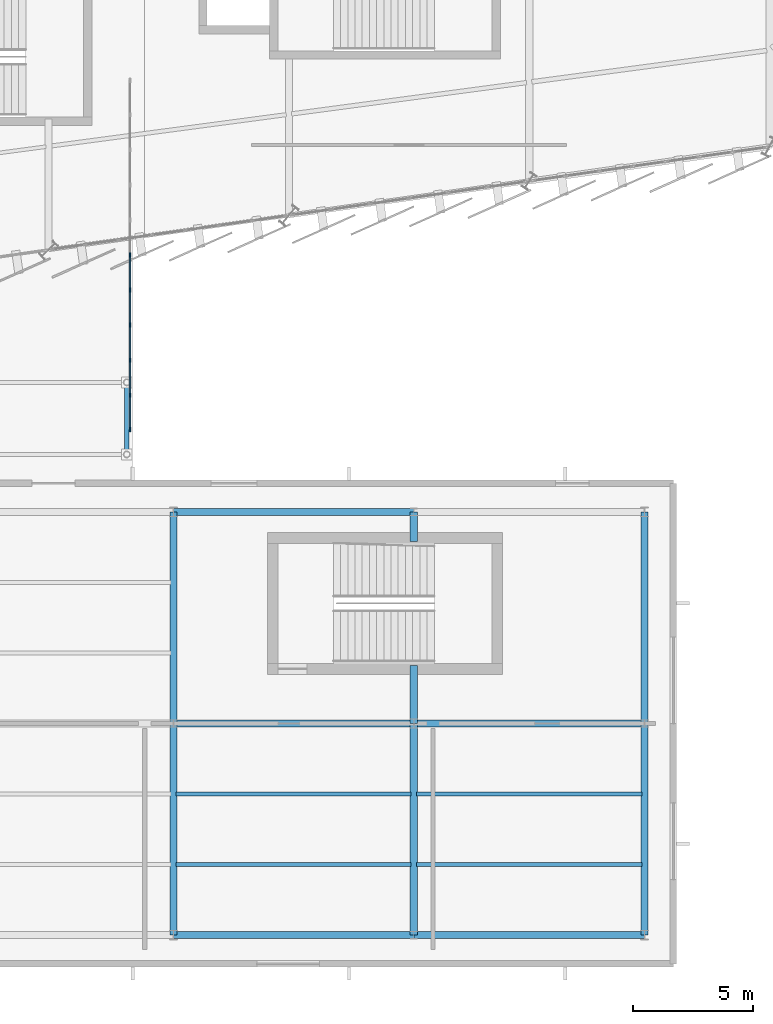
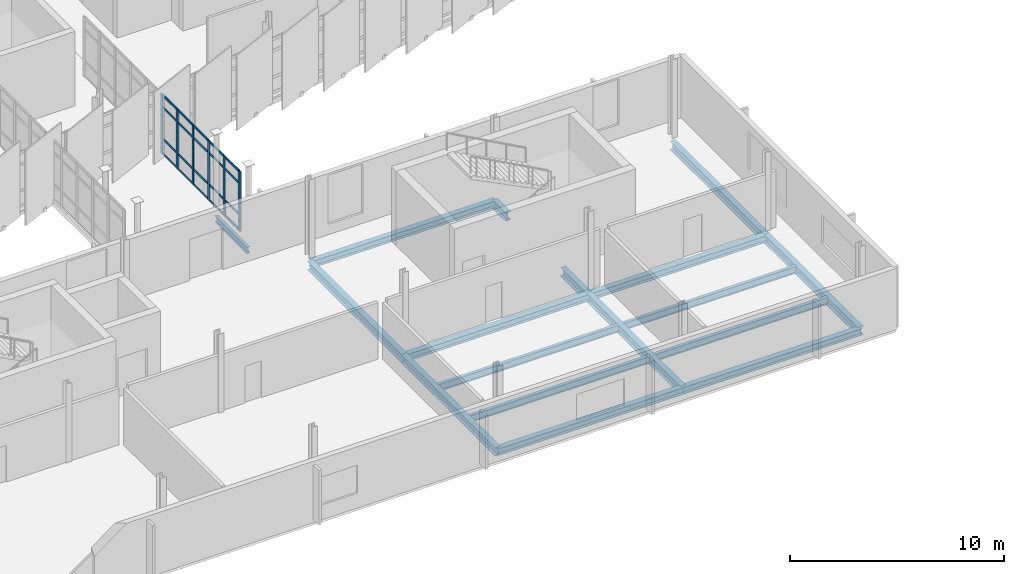
# One storey, part 61 of 134: 26 members, 17 beams, 1 element without a shape of its own.
"""IFC4 building model written with IfcOpenShell, lengths in metres."""

import ifcopenshell
import ifcopenshell.guid

model = None  # the IFC model being written
_history = None  # IfcOwnerHistory: only IFC2X3 demands one
_inside = {}  # id of a spatial element -> (the spatial element, [elements in it])
_under = {}  # id of a project, library or spatial element -> (it, [spatial elements below it])
_declared = {}  # id of a project -> (the project, [libraries it declares])
_typed = {}  # id of a type object -> (the type object, [elements of that type])
_made_of = {}  # id of a material, layer set ... -> (it, [elements and type objects made of it])


def new_model(schema):
    """Start an empty IFC model of exactly this schema.

    Asked for "IFC4X3", IfcOpenShell would pick the latest addendum, in which some entities
    have other attributes; the version numbers below select the first issue.
    IFC2X3 requires an IfcOwnerHistory on every rooted entity: one is made here for all.
    """
    global model, _history
    if schema == "IFC4X3":
        model = ifcopenshell.file(schema_version=(4, 3, 0, 0))
    else:
        model = ifcopenshell.file(schema=schema)
    _inside.clear()
    _under.clear()
    _declared.clear()
    _typed.clear()
    _made_of.clear()
    _history = None
    if model.schema == "IFC2X3":
        org = make("IfcOrganization", Name="unknown")
        user = make(
            "IfcPersonAndOrganization",
            ThePerson=make("IfcPerson", FamilyName="unknown"),
            TheOrganization=org,
        )
        app = make(
            "IfcApplication",
            ApplicationDeveloper=org,
            Version="unknown",
            ApplicationFullName="unknown",
            ApplicationIdentifier="unknown",
        )
        _history = make(
            "IfcOwnerHistory",
            OwningUser=user,
            OwningApplication=app,
            ChangeAction="ADDED",
            CreationDate=0,
        )
    return model


def make(cls, **values):
    """One entity of the class cls with the attributes given. An attribute that is None is left unset."""
    return model.create_entity(
        cls, **{name: value for name, value in values.items() if value is not None}
    )


def rooted(cls, **values):
    """An entity with a GlobalId (a new one), such as an element, a storey or a relation."""
    return make(cls, GlobalId=ifcopenshell.guid.new(), OwnerHistory=_history, **values)


def si_unit(unit_type, name, prefix=None):
    """IfcSIUnit, for example si_unit("LENGTHUNIT", "METRE", prefix="MILLI")."""
    return make("IfcSIUnit", UnitType=unit_type, Prefix=prefix, Name=name)


def assignment(units):
    """IfcUnitAssignment: the units of a project."""
    return None if units is None else make("IfcUnitAssignment", Units=units)


def point(xyz):
    """IfcCartesianPoint."""
    return None if xyz is None else make("IfcCartesianPoint", Coordinates=xyz)


def direction(xyz):
    """IfcDirection."""
    return None if xyz is None else make("IfcDirection", DirectionRatios=xyz)


def frame(location, z_axis=None, x_axis=None):
    """IfcAxis2Placement3D, a coordinate frame: its origin and axes. An axis left out is left unset."""
    return make(
        "IfcAxis2Placement3D",
        Location=point(location),
        Axis=direction(z_axis),
        RefDirection=direction(x_axis),
    )


def frame_2d(location, x_axis=None):
    """IfcAxis2Placement2D, a coordinate frame in the plane: its origin and x axis."""
    return make(
        "IfcAxis2Placement2D", Location=point(location), RefDirection=direction(x_axis)
    )


def origin():
    """The frame at (0, 0, 0) with its axes left unset."""
    return frame((0.0, 0.0, 0.0))


def origin_2d():
    """The frame at (0, 0) in the plane with its x axis left unset."""
    return frame_2d((0.0, 0.0))


def place(relative_to, where):
    """IfcLocalPlacement: puts the frame where relative to a parent placement (None: the world)."""
    return make(
        "IfcLocalPlacement", PlacementRelTo=relative_to, RelativePlacement=where
    )


def context(
    kind, dimensions, precision=None, world=None, true_north=None, identifier=None
):
    """IfcGeometricRepresentationContext, for example the 3D "Model" context."""
    return make(
        "IfcGeometricRepresentationContext",
        ContextIdentifier=identifier,
        ContextType=kind,
        CoordinateSpaceDimension=dimensions,
        Precision=precision,
        WorldCoordinateSystem=world,
        TrueNorth=true_north,
    )


def subcontext(parent, identifier, kind, view, scale=None):
    """IfcGeometricRepresentationSubContext, for example "Body" below "Model"."""
    return make(
        "IfcGeometricRepresentationSubContext",
        ContextIdentifier=identifier,
        ContextType=kind,
        ParentContext=parent,
        TargetScale=scale,
        TargetView=view,
    )


def project(units=None, contexts=None):
    """IfcProject with its units and contexts."""
    return rooted(
        "IfcProject",
        Name="project",
        RepresentationContexts=contexts,
        UnitsInContext=assignment(units),
    )


def spatial(cls, under=None, at=None, **own):
    """A site, building, storey or space (cls), placed at a placement, below another one or the project."""
    s = rooted(cls, ObjectPlacement=at, **own)
    if under is not None:
        _under.setdefault(under.id(), (under, []))[1].append(s)
    return s


def profile(cls, at=None, kind="AREA", **sizes):
    """A parametric profile (cls). Its sizes go by their IFC names, for example OverallWidth=200.0."""
    return make(cls, ProfileType=kind, Position=at, **sizes)


def rectangle(**sizes):
    """IfcRectangleProfileDef."""
    return profile("IfcRectangleProfileDef", **sizes)


def i_section(**sizes):
    """IfcIShapeProfileDef."""
    return profile("IfcIShapeProfileDef", **sizes)


def extrude(swept, where, along, depth):
    """IfcExtrudedAreaSolid: the profile swept, set in the frame where, extruded along a direction by depth."""
    return make(
        "IfcExtrudedAreaSolid",
        SweptArea=swept,
        Position=where,
        ExtrudedDirection=direction(along),
        Depth=depth,
    )


def shape(context_of_items, identifier, shape_type, items):
    """IfcShapeRepresentation: the items that make up one representation, for example the "Body"."""
    return make(
        "IfcShapeRepresentation",
        ContextOfItems=context_of_items,
        RepresentationIdentifier=identifier,
        RepresentationType=shape_type,
        Items=items,
    )


def material(Name=None, Category=None):
    """IfcMaterial."""
    return make("IfcMaterial", Name=Name, Category=Category)


def layer(
    of_material, thickness, ventilated=None, Name=None, Category=None, Priority=None
):
    """IfcMaterialLayer: one layer of a wall or slab, of a material (None: an air gap)."""
    return make(
        "IfcMaterialLayer",
        Material=of_material,
        LayerThickness=thickness,
        IsVentilated=ventilated,
        Name=Name,
        Category=Category,
        Priority=Priority,
    )


def layer_set(layers, Name=None):
    """IfcMaterialLayerSet."""
    return make("IfcMaterialLayerSet", MaterialLayers=layers, LayerSetName=Name)


def material_profile(
    of_material, cross_section, Name=None, Category=None, Priority=None
):
    """IfcMaterialProfile: a cross section and its material."""
    return make(
        "IfcMaterialProfile",
        Name=Name,
        Material=of_material,
        Profile=cross_section,
        Priority=Priority,
        Category=Category,
    )


def profile_set(profiles, Name=None, composite=None):
    """IfcMaterialProfileSet."""
    return make(
        "IfcMaterialProfileSet",
        Name=Name,
        MaterialProfiles=profiles,
        CompositeProfile=composite,
    )


def made_of(thing, what):
    """Note that an element or type object is made of a material, layer set ...; save() writes the relation."""
    if what is not None:
        _made_of.setdefault(what.id(), (what, []))[1].append(thing)
    return thing


def type_object(cls, material=None, **own):
    """A type object (cls), such as IfcWallType, which elements share."""
    return made_of(rooted(cls, **own), material)


def element(
    cls,
    number,
    at=None,
    inside=None,
    cuts=None,
    type_object=None,
    material=None,
    context=None,
    identifier="Body",
    shape_type=None,
    held_by="IfcProductDefinitionShape",
    body=None,
    shapes=None,
    **own,
):
    """One element of the class cls, such as IfcWall. Its Tag is "e" and its number.

    at: its placement. inside: the storey or other place that contains it. cuts: it is an
    opening in that element (IfcRelVoidsElement). A single representation is given by context,
    identifier, shape_type and body (its items); several are given by shapes. held_by: the class
    of the entity that holds the representations. save() writes the other relations.
    """
    e = rooted(cls, Tag="e%d" % number, ObjectPlacement=at, **own)
    if body is not None:
        shapes = [shape(context, identifier, shape_type, body)]
    if shapes is not None:
        e.Representation = make(held_by, Representations=shapes)
    if inside is not None:
        _inside.setdefault(inside.id(), (inside, []))[1].append(e)
    if cuts is not None:
        rooted(
            "IfcRelVoidsElement", RelatingBuildingElement=cuts, RelatedOpeningElement=e
        )
    if type_object is not None:
        _typed.setdefault(type_object.id(), (type_object, []))[1].append(e)
    return made_of(e, material)


def aggregate(whole, parts):
    """IfcRelAggregates: a whole, such as a stair, and the parts it consists of."""
    return rooted("IfcRelAggregates", RelatingObject=whole, RelatedObjects=parts)


def save(model, path):
    """Write the relations noted so far, then the file.

    IfcRelAggregates (storeys below a building ...), IfcRelContainedInSpatialStructure (elements
    in a storey), IfcRelDefinesByType, IfcRelAssociatesMaterial and IfcRelDeclares: one each for
    every whole, place, type object, material and project.
    """
    for whole, parts in _under.values():
        aggregate(whole, parts)
    for where, things in _inside.values():
        rooted(
            "IfcRelContainedInSpatialStructure",
            RelatedElements=things,
            RelatingStructure=where,
        )
    for kind, things in _typed.values():
        rooted("IfcRelDefinesByType", RelatedObjects=things, RelatingType=kind)
    for what, things in _made_of.values():
        rooted("IfcRelAssociatesMaterial", RelatedObjects=things, RelatingMaterial=what)
    for by, libraries in _declared.values():
        rooted("IfcRelDeclares", RelatingContext=by, RelatedDefinitions=libraries)
    model.write(path)


model = new_model("IFC4")

# Units and contexts
model_context = context("Model", 3, precision=1e-05, world=origin(), true_north=direction((0.0, 1.0)))
body_context = subcontext(model_context, "Body", "Model", "MODEL_VIEW")
ifc_project = project(units=[si_unit("LENGTHUNIT", "METRE"), si_unit("AREAUNIT", "SQUARE_METRE"), si_unit("VOLUMEUNIT", "CUBIC_METRE"), si_unit("PLANEANGLEUNIT", "RADIAN"), si_unit("MASSUNIT", "GRAM", prefix="KILO")], contexts=[model_context])

# Site, building, storey
site_placement = place(None, origin())
site = spatial("IfcSite", under=ifc_project, at=site_placement, CompositionType="ELEMENT")
building_placement = place(site_placement, origin())
building = spatial("IfcBuilding", under=site, at=building_placement, Name="Sohan Crest Arena", CompositionType="ELEMENT")
storey_placement = place(building_placement, frame((0.0, 0.0, 4.5)))
storey = spatial("IfcBuildingStorey", under=building, at=storey_placement, Name="L01", CompositionType="ELEMENT", Elevation=4.5)

# Curtain wall, members
ifc_material_1 = material(Name="Thermally broken anodised aluminium", Category="aluminium")
ifc_layer = layer(ifc_material_1, 0.18994140625, Name="Thermally broken anodised aluminium")
ifc_layer_set = layer_set([ifc_layer], Name="Thermally broken anodised aluminium")
curtain_wall_type = type_object("IfcCurtainWallType", Name="ARC-CW05", PredefinedType="NOTDEFINED", material=ifc_layer_set)
curtain_wall_placement = place(storey_placement, origin())
curtain_wall = element("IfcCurtainWall", 1, at=curtain_wall_placement, inside=storey, type_object=curtain_wall_type, Name="Unitised curtain wall CW-256", PredefinedType="NOTDEFINED")
ifc_material_profile_1 = material_profile(ifc_material_1, rectangle(XDim=0.06494140625, YDim=0.179931640625, at=origin_2d()), Name="ALU-MULL 65x180")
ifc_profile_set_1 = profile_set([ifc_material_profile_1], Name="Thermally broken anodised aluminium")
member_type_1 = type_object("IfcMemberType", Name="ARC-CW-ML02", PredefinedType="MULLION", material=ifc_profile_set_1)
member_1_placement = place(storey_placement, frame((141.3798828125, 28.232421875, 0.0), z_axis=(0.0, 0.0, 1.0), x_axis=(-1.0, 0.0, 0.0)))
member_1 = element("IfcMember", 2, at=member_1_placement, type_object=member_type_1, Name="CW-256 mullion 1", PredefinedType="MULLION", context=body_context, shape_type="SweptSolid", body=[
    extrude(rectangle(XDim=0.06494140625, YDim=0.179931640625, at=origin_2d()), origin(), (0.0, 0.0, 1.0), 3.39990234375),
])
member_2_placement = place(storey_placement, frame((141.3798828125, 29.659912109375, 0.0), z_axis=(0.0, 0.0, 1.0), x_axis=(-1.0, 0.0, 0.0)))
member_2 = element("IfcMember", 3, at=member_2_placement, type_object=member_type_1, Name="CW-256 mullion 2", PredefinedType="MULLION", context=body_context, shape_type="SweptSolid", body=[
    extrude(rectangle(XDim=0.06494140625, YDim=0.179931640625, at=origin_2d()), origin(), (0.0, 0.0, 1.0), 3.39990234375),
])
member_3_placement = place(storey_placement, frame((141.3798828125, 31.1201171875, 0.0), z_axis=(0.0, 0.0, 1.0), x_axis=(-1.0, 0.0, 0.0)))
member_3 = element("IfcMember", 4, at=member_3_placement, type_object=member_type_1, Name="CW-256 mullion 3", PredefinedType="MULLION", context=body_context, shape_type="SweptSolid", body=[
    extrude(rectangle(XDim=0.06494140625, YDim=0.179931640625, at=origin_2d()), origin(), (0.0, 0.0, 1.0), 3.39990234375),
])
member_4_placement = place(storey_placement, frame((141.3798828125, 32.580078125, 0.0), z_axis=(0.0, 0.0, 1.0), x_axis=(-1.0, 0.0, 0.0)))
member_4 = element("IfcMember", 5, at=member_4_placement, type_object=member_type_1, Name="CW-256 mullion 4", PredefinedType="MULLION", context=body_context, shape_type="SweptSolid", body=[
    extrude(rectangle(XDim=0.06494140625, YDim=0.179931640625, at=origin_2d()), origin(), (0.0, 0.0, 1.0), 3.39990234375),
])
member_5_placement = place(storey_placement, frame((141.3798828125, 34.0400390625, 0.0), z_axis=(0.0, 0.0, 1.0), x_axis=(-1.0, 0.0, 0.0)))
member_5 = element("IfcMember", 6, at=member_5_placement, type_object=member_type_1, Name="CW-256 mullion 5", PredefinedType="MULLION", context=body_context, shape_type="SweptSolid", body=[
    extrude(rectangle(XDim=0.06494140625, YDim=0.179931640625, at=origin_2d()), origin(), (0.0, 0.0, 1.0), 3.39990234375),
])
member_6_placement = place(storey_placement, frame((141.3798828125, 35.5, 0.0), z_axis=(0.0, 0.0, 1.0), x_axis=(-1.0, 0.0, 0.0)))
member_6 = element("IfcMember", 7, at=member_6_placement, type_object=member_type_1, Name="CW-256 mullion 6", PredefinedType="MULLION", context=body_context, shape_type="SweptSolid", body=[
    extrude(rectangle(XDim=0.06494140625, YDim=0.179931640625, at=origin_2d()), origin(), (0.0, 0.0, 1.0), 3.39990234375),
])
ifc_material_profile_2 = material_profile(ifc_material_1, rectangle(XDim=0.06005859375, YDim=0.1201171875, at=origin_2d()), Name="ALU-TRAN 60x120")
ifc_profile_set_2 = profile_set([ifc_material_profile_2], Name="Thermally broken anodised aluminium")
member_type_2 = type_object("IfcMemberType", Name="ARC-CW-TR01", PredefinedType="USERDEFINED", material=ifc_profile_set_2)
member_7_placement = place(storey_placement, frame((141.3798828125, 28.264892578125, 0.030029296875), z_axis=(0.0, 1.0, 0.0), x_axis=(-1.0, 0.0, 0.0)))
member_7 = element("IfcMember", 8, at=member_7_placement, type_object=member_type_2, Name="CW-256 transom 1.1", ObjectType="TRANSOM", PredefinedType="USERDEFINED", context=body_context, shape_type="SweptSolid", body=[
    extrude(rectangle(XDim=0.06005859375, YDim=0.1201171875, at=origin_2d()), origin(), (0.0, 0.0, 1.0), 1.362548828125),
])
member_8_placement = place(storey_placement, frame((141.3798828125, 28.264892578125, 0.89990234375), z_axis=(0.0, 1.0, 0.0), x_axis=(-1.0, 0.0, 0.0)))
member_8 = element("IfcMember", 9, at=member_8_placement, type_object=member_type_2, Name="CW-256 transom 1.2", ObjectType="TRANSOM", PredefinedType="USERDEFINED", context=body_context, shape_type="SweptSolid", body=[
    extrude(rectangle(XDim=0.06005859375, YDim=0.1201171875, at=origin_2d()), origin(), (0.0, 0.0, 1.0), 1.362548828125),
])
member_9_placement = place(storey_placement, frame((141.3798828125, 28.264892578125, 2.699951171875), z_axis=(0.0, 1.0, 0.0), x_axis=(-1.0, 0.0, 0.0)))
member_9 = element("IfcMember", 10, at=member_9_placement, type_object=member_type_2, Name="CW-256 transom 1.3", ObjectType="TRANSOM", PredefinedType="USERDEFINED", context=body_context, shape_type="SweptSolid", body=[
    extrude(rectangle(XDim=0.06005859375, YDim=0.1201171875, at=origin_2d()), origin(), (0.0, 0.0, 1.0), 1.362548828125),
])
member_10_placement = place(storey_placement, frame((141.3798828125, 28.264892578125, 3.3701171875), z_axis=(0.0, 1.0, 0.0), x_axis=(-1.0, 0.0, 0.0)))
member_10 = element("IfcMember", 11, at=member_10_placement, type_object=member_type_2, Name="CW-256 transom 1.4", ObjectType="TRANSOM", PredefinedType="USERDEFINED", context=body_context, shape_type="SweptSolid", body=[
    extrude(rectangle(XDim=0.06005859375, YDim=0.1201171875, at=origin_2d()), origin(), (0.0, 0.0, 1.0), 1.362548828125),
])
member_11_placement = place(storey_placement, frame((141.3798828125, 29.6923828125, 0.030029296875), z_axis=(0.0, 1.0, 0.0), x_axis=(-1.0, 0.0, 0.0)))
member_11 = element("IfcMember", 12, at=member_11_placement, type_object=member_type_2, Name="CW-256 transom 2.1", ObjectType="TRANSOM", PredefinedType="USERDEFINED", context=body_context, shape_type="SweptSolid", body=[
    extrude(rectangle(XDim=0.06005859375, YDim=0.1201171875, at=origin_2d()), origin(), (0.0, 0.0, 1.0), 1.39501953125),
])
member_12_placement = place(storey_placement, frame((141.3798828125, 29.6923828125, 0.89990234375), z_axis=(0.0, 1.0, 0.0), x_axis=(-1.0, 0.0, 0.0)))
member_12 = element("IfcMember", 13, at=member_12_placement, type_object=member_type_2, Name="CW-256 transom 2.2", ObjectType="TRANSOM", PredefinedType="USERDEFINED", context=body_context, shape_type="SweptSolid", body=[
    extrude(rectangle(XDim=0.06005859375, YDim=0.1201171875, at=origin_2d()), origin(), (0.0, 0.0, 1.0), 1.39501953125),
])
member_13_placement = place(storey_placement, frame((141.3798828125, 29.6923828125, 2.699951171875), z_axis=(0.0, 1.0, 0.0), x_axis=(-1.0, 0.0, 0.0)))
member_13 = element("IfcMember", 14, at=member_13_placement, type_object=member_type_2, Name="CW-256 transom 2.3", ObjectType="TRANSOM", PredefinedType="USERDEFINED", context=body_context, shape_type="SweptSolid", body=[
    extrude(rectangle(XDim=0.06005859375, YDim=0.1201171875, at=origin_2d()), origin(), (0.0, 0.0, 1.0), 1.39501953125),
])
member_14_placement = place(storey_placement, frame((141.3798828125, 29.6923828125, 3.3701171875), z_axis=(0.0, 1.0, 0.0), x_axis=(-1.0, 0.0, 0.0)))
member_14 = element("IfcMember", 15, at=member_14_placement, type_object=member_type_2, Name="CW-256 transom 2.4", ObjectType="TRANSOM", PredefinedType="USERDEFINED", context=body_context, shape_type="SweptSolid", body=[
    extrude(rectangle(XDim=0.06005859375, YDim=0.1201171875, at=origin_2d()), origin(), (0.0, 0.0, 1.0), 1.39501953125),
])
member_15_placement = place(storey_placement, frame((141.3798828125, 31.152587890625, 0.030029296875), z_axis=(0.0, 1.0, 0.0), x_axis=(-1.0, 0.0, 0.0)))
member_15 = element("IfcMember", 16, at=member_15_placement, type_object=member_type_2, Name="CW-256 transom 3.1", ObjectType="TRANSOM", PredefinedType="USERDEFINED", context=body_context, shape_type="SweptSolid", body=[
    extrude(rectangle(XDim=0.06005859375, YDim=0.1201171875, at=origin_2d()), origin(), (0.0, 0.0, 1.0), 1.39501953125),
])
member_16_placement = place(storey_placement, frame((141.3798828125, 31.152587890625, 0.89990234375), z_axis=(0.0, 1.0, 0.0), x_axis=(-1.0, 0.0, 0.0)))
member_16 = element("IfcMember", 17, at=member_16_placement, type_object=member_type_2, Name="CW-256 transom 3.2", ObjectType="TRANSOM", PredefinedType="USERDEFINED", context=body_context, shape_type="SweptSolid", body=[
    extrude(rectangle(XDim=0.06005859375, YDim=0.1201171875, at=origin_2d()), origin(), (0.0, 0.0, 1.0), 1.39501953125),
])
member_17_placement = place(storey_placement, frame((141.3798828125, 31.152587890625, 2.699951171875), z_axis=(0.0, 1.0, 0.0), x_axis=(-1.0, 0.0, 0.0)))
member_17 = element("IfcMember", 18, at=member_17_placement, type_object=member_type_2, Name="CW-256 transom 3.3", ObjectType="TRANSOM", PredefinedType="USERDEFINED", context=body_context, shape_type="SweptSolid", body=[
    extrude(rectangle(XDim=0.06005859375, YDim=0.1201171875, at=origin_2d()), origin(), (0.0, 0.0, 1.0), 1.39501953125),
])
member_18_placement = place(storey_placement, frame((141.3798828125, 31.152587890625, 3.3701171875), z_axis=(0.0, 1.0, 0.0), x_axis=(-1.0, 0.0, 0.0)))
member_18 = element("IfcMember", 19, at=member_18_placement, type_object=member_type_2, Name="CW-256 transom 3.4", ObjectType="TRANSOM", PredefinedType="USERDEFINED", context=body_context, shape_type="SweptSolid", body=[
    extrude(rectangle(XDim=0.06005859375, YDim=0.1201171875, at=origin_2d()), origin(), (0.0, 0.0, 1.0), 1.39501953125),
])
member_19_placement = place(storey_placement, frame((141.3798828125, 32.612548828125, 0.030029296875), z_axis=(0.0, 1.0, 0.0), x_axis=(-1.0, 0.0, 0.0)))
member_19 = element("IfcMember", 20, at=member_19_placement, type_object=member_type_2, Name="CW-256 transom 4.1", ObjectType="TRANSOM", PredefinedType="USERDEFINED", context=body_context, shape_type="SweptSolid", body=[
    extrude(rectangle(XDim=0.06005859375, YDim=0.1201171875, at=origin_2d()), origin(), (0.0, 0.0, 1.0), 1.39501953125),
])
member_20_placement = place(storey_placement, frame((141.3798828125, 32.612548828125, 0.89990234375), z_axis=(0.0, 1.0, 0.0), x_axis=(-1.0, 0.0, 0.0)))
member_20 = element("IfcMember", 21, at=member_20_placement, type_object=member_type_2, Name="CW-256 transom 4.2", ObjectType="TRANSOM", PredefinedType="USERDEFINED", context=body_context, shape_type="SweptSolid", body=[
    extrude(rectangle(XDim=0.06005859375, YDim=0.1201171875, at=origin_2d()), origin(), (0.0, 0.0, 1.0), 1.39501953125),
])
member_21_placement = place(storey_placement, frame((141.3798828125, 32.612548828125, 2.699951171875), z_axis=(0.0, 1.0, 0.0), x_axis=(-1.0, 0.0, 0.0)))
member_21 = element("IfcMember", 22, at=member_21_placement, type_object=member_type_2, Name="CW-256 transom 4.3", ObjectType="TRANSOM", PredefinedType="USERDEFINED", context=body_context, shape_type="SweptSolid", body=[
    extrude(rectangle(XDim=0.06005859375, YDim=0.1201171875, at=origin_2d()), origin(), (0.0, 0.0, 1.0), 1.39501953125),
])
member_22_placement = place(storey_placement, frame((141.3798828125, 32.612548828125, 3.3701171875), z_axis=(0.0, 1.0, 0.0), x_axis=(-1.0, 0.0, 0.0)))
member_22 = element("IfcMember", 23, at=member_22_placement, type_object=member_type_2, Name="CW-256 transom 4.4", ObjectType="TRANSOM", PredefinedType="USERDEFINED", context=body_context, shape_type="SweptSolid", body=[
    extrude(rectangle(XDim=0.06005859375, YDim=0.1201171875, at=origin_2d()), origin(), (0.0, 0.0, 1.0), 1.39501953125),
])
member_23_placement = place(storey_placement, frame((141.3798828125, 34.072509765625, 0.030029296875), z_axis=(0.0, 1.0, 0.0), x_axis=(-1.0, 0.0, 0.0)))
member_23 = element("IfcMember", 24, at=member_23_placement, type_object=member_type_2, Name="CW-256 transom 5.1", ObjectType="TRANSOM", PredefinedType="USERDEFINED", context=body_context, shape_type="SweptSolid", body=[
    extrude(rectangle(XDim=0.06005859375, YDim=0.1201171875, at=origin_2d()), origin(), (0.0, 0.0, 1.0), 1.39501953125),
])
member_24_placement = place(storey_placement, frame((141.3798828125, 34.072509765625, 0.89990234375), z_axis=(0.0, 1.0, 0.0), x_axis=(-1.0, 0.0, 0.0)))
member_24 = element("IfcMember", 25, at=member_24_placement, type_object=member_type_2, Name="CW-256 transom 5.2", ObjectType="TRANSOM", PredefinedType="USERDEFINED", context=body_context, shape_type="SweptSolid", body=[
    extrude(rectangle(XDim=0.06005859375, YDim=0.1201171875, at=origin_2d()), origin(), (0.0, 0.0, 1.0), 1.39501953125),
])
member_25_placement = place(storey_placement, frame((141.3798828125, 34.072509765625, 2.699951171875), z_axis=(0.0, 1.0, 0.0), x_axis=(-1.0, 0.0, 0.0)))
member_25 = element("IfcMember", 26, at=member_25_placement, type_object=member_type_2, Name="CW-256 transom 5.3", ObjectType="TRANSOM", PredefinedType="USERDEFINED", context=body_context, shape_type="SweptSolid", body=[
    extrude(rectangle(XDim=0.06005859375, YDim=0.1201171875, at=origin_2d()), origin(), (0.0, 0.0, 1.0), 1.39501953125),
])
member_26_placement = place(storey_placement, frame((141.3798828125, 34.072509765625, 3.3701171875), z_axis=(0.0, 1.0, 0.0), x_axis=(-1.0, 0.0, 0.0)))
member_26 = element("IfcMember", 27, at=member_26_placement, type_object=member_type_2, Name="CW-256 transom 5.4", ObjectType="TRANSOM", PredefinedType="USERDEFINED", context=body_context, shape_type="SweptSolid", body=[
    extrude(rectangle(XDim=0.06005859375, YDim=0.1201171875, at=origin_2d()), origin(), (0.0, 0.0, 1.0), 1.39501953125),
])
aggregate(curtain_wall, [member_1, member_2, member_3, member_4, member_5, member_6, member_7, member_8, member_9, member_10, member_11, member_12, member_13, member_14, member_15, member_16, member_17, member_18, member_19, member_20, member_21, member_22, member_23, member_24, member_25, member_26])

# Beams
ifc_material_2 = material(Name="Steel S355", Category="steel")
ifc_material_profile_3 = material_profile(ifc_material_2, i_section(OverallWidth=0.169921875, OverallDepth=0.360107421875, WebThickness=0.008056640625, FlangeThickness=0.0126953125, at=origin_2d()), Name="IPE 360")
ifc_profile_set_3 = profile_set([ifc_material_profile_3], Name="Steel S355")
beam_type_1 = type_object("IfcBeamType", Name="STR-BM-B02", PredefinedType="JOIST", material=ifc_profile_set_3)
beam_1_placement = place(storey_placement, frame((141.25, 27.199951171875, -0.455078125), z_axis=(0.0, 1.0, 0.0), x_axis=(-1.0, 0.0, 0.0)))
element("IfcBeam", 28, at=beam_1_placement, inside=storey, type_object=beam_type_1, Name="Structural beam BG-L01-3005", PredefinedType="JOIST", context=body_context, shape_type="SweptSolid", body=[
    extrude(i_section(OverallWidth=0.169921875, OverallDepth=0.360107421875, WebThickness=0.008056640625, FlangeThickness=0.0126953125, at=origin_2d()), origin(), (0.0, 0.0, 1.0), 3.0),
])
ifc_material_profile_4 = material_profile(ifc_material_2, i_section(OverallWidth=0.179931640625, OverallDepth=0.39990234375, WebThickness=0.008544921875, FlangeThickness=0.013427734375, at=origin_2d()), Name="IPE 400")
ifc_profile_set_4 = profile_set([ifc_material_profile_4], Name="Steel S355")
beam_type_2 = type_object("IfcBeamType", Name="STR-BM-B03", PredefinedType="JOIST", material=ifc_profile_set_4)
for number, where, z_axis, x_axis, name in (
    (29, (143.31005859375, 10.133056640625, -0.449951171875), (1.0, 0.0, 0.0), (0.0, 1.0, 0.0), "Structural beam J-L01-2603"),
    (30, (143.31005859375, 13.06689453125, -0.449951171875), (1.0, 0.0, 0.0), (0.0, 1.0, 0.0), "Structural beam J-L01-2604"),
):
    element("IfcBeam", number, at=place(storey_placement, frame(where, z_axis=z_axis, x_axis=x_axis)), inside=storey, type_object=beam_type_2, Name=name, PredefinedType="JOIST", context=body_context, shape_type="SweptSolid", body=[
        extrude(i_section(OverallWidth=0.179931640625, OverallDepth=0.39990234375, WebThickness=0.008544921875, FlangeThickness=0.013427734375, at=origin_2d()), origin(), (0.0, 0.0, 1.0), 9.780029296875),
    ])
for number, where, z_axis, x_axis, name in (
    (31, (153.31005859375, 10.133056640625, -0.449951171875), (1.0, 0.0, 0.0), (0.0, 1.0, 0.0), "Structural beam J-L01-2606"),
    (32, (153.31005859375, 13.06689453125, -0.449951171875), (1.0, 0.0, 0.0), (0.0, 1.0, 0.0), "Structural beam J-L01-2607"),
):
    element("IfcBeam", number, at=place(storey_placement, frame(where, z_axis=z_axis, x_axis=x_axis)), inside=storey, type_object=beam_type_2, Name=name, PredefinedType="JOIST", context=body_context, shape_type="SweptSolid", body=[
        extrude(i_section(OverallWidth=0.179931640625, OverallDepth=0.39990234375, WebThickness=0.008544921875, FlangeThickness=0.013427734375, at=origin_2d()), origin(), (0.0, 0.0, 1.0), 9.3798828125),
    ])
ifc_material_profile_5 = material_profile(ifc_material_2, i_section(OverallWidth=0.300048828125, OverallDepth=0.389892578125, WebThickness=0.010986328125, FlangeThickness=0.01904296875, at=origin_2d()), Name="HEA 400")
ifc_profile_set_5 = profile_set([ifc_material_profile_5], Name="Steel S355")
beam_type_3 = type_object("IfcBeamType", Name="STR-BM-B09", PredefinedType="BEAM", material=ifc_profile_set_5)
beam_2_placement = place(storey_placement, frame((143.199951171875, 7.199951171875, -0.445068359375), z_axis=(1.0, 0.0, 0.0), x_axis=(0.0, 1.0, 0.0)))
element("IfcBeam", 33, at=beam_2_placement, inside=storey, type_object=beam_type_3, Name="Structural beam G-L01-2602", PredefinedType="BEAM", context=body_context, shape_type="SweptSolid", body=[
    extrude(i_section(OverallWidth=0.300048828125, OverallDepth=0.389892578125, WebThickness=0.010986328125, FlangeThickness=0.01904296875, at=origin_2d()), origin(), (0.0, 0.0, 1.0), 10.0),
])
beam_3_placement = place(storey_placement, frame((153.199951171875, 7.199951171875, -0.445068359375), z_axis=(1.0, 0.0, 0.0), x_axis=(0.0, 1.0, 0.0)))
element("IfcBeam", 34, at=beam_3_placement, inside=storey, type_object=beam_type_3, Name="Structural beam G-L01-2605", PredefinedType="BEAM", context=body_context, shape_type="SweptSolid", body=[
    extrude(i_section(OverallWidth=0.300048828125, OverallDepth=0.389892578125, WebThickness=0.010986328125, FlangeThickness=0.01904296875, at=origin_2d()), origin(), (0.0, 0.0, 1.0), 9.60009765625),
])
beam_4_placement = place(storey_placement, frame((143.199951171875, 16.0, -0.445068359375), z_axis=(1.0, 0.0, 0.0), x_axis=(0.0, 1.0, 0.0)))
element("IfcBeam", 35, at=beam_4_placement, inside=storey, type_object=beam_type_3, Name="Structural beam G-L01-2617", PredefinedType="BEAM", context=body_context, shape_type="SweptSolid", body=[
    extrude(i_section(OverallWidth=0.300048828125, OverallDepth=0.389892578125, WebThickness=0.010986328125, FlangeThickness=0.01904296875, at=origin_2d()), origin(), (0.0, 0.0, 1.0), 10.0),
])
beam_5_placement = place(storey_placement, frame((153.199951171875, 16.0, -0.445068359375), z_axis=(1.0, 0.0, 0.0), x_axis=(0.0, 1.0, 0.0)))
element("IfcBeam", 36, at=beam_5_placement, inside=storey, type_object=beam_type_3, Name="Structural beam G-L01-2618", PredefinedType="BEAM", context=body_context, shape_type="SweptSolid", body=[
    extrude(i_section(OverallWidth=0.300048828125, OverallDepth=0.389892578125, WebThickness=0.010986328125, FlangeThickness=0.01904296875, at=origin_2d()), origin(), (0.0, 0.0, 1.0), 9.60009765625),
])
beam_6_placement = place(storey_placement, frame((143.199951171875, 24.800048828125, -0.445068359375), z_axis=(1.0, 0.0, 0.0), x_axis=(0.0, 1.0, 0.0)))
element("IfcBeam", 37, at=beam_6_placement, inside=storey, type_object=beam_type_3, Name="Structural beam G-L01-2626", PredefinedType="BEAM", context=body_context, shape_type="SweptSolid", body=[
    extrude(i_section(OverallWidth=0.300048828125, OverallDepth=0.389892578125, WebThickness=0.010986328125, FlangeThickness=0.01904296875, at=origin_2d()), origin(), (0.0, 0.0, 1.0), 10.0),
])
ifc_material_profile_6 = material_profile(ifc_material_2, i_section(OverallWidth=0.300048828125, OverallDepth=0.489990234375, WebThickness=0.011962890625, FlangeThickness=0.02294921875, at=origin_2d()), Name="HEA 500")
ifc_profile_set_6 = profile_set([ifc_material_profile_6], Name="Steel S355")
beam_type_4 = type_object("IfcBeamType", Name="STR-BM-B10", PredefinedType="BEAM", material=ifc_profile_set_6)
for number, where, z_axis, x_axis, name in (
    (38, (143.199951171875, 7.199951171875, -0.4951171875), (0.0, 1.0, 0.0), (-1.0, 0.0, 0.0), "Structural beam G-L01-2586"),
    (39, (143.199951171875, 16.0, -0.4951171875), (0.0, 1.0, 0.0), (-1.0, 0.0, 0.0), "Structural beam G-L01-2587"),
    (40, (153.199951171875, 7.199951171875, -0.4951171875), (0.0, 1.0, 0.0), (-1.0, 0.0, 0.0), "Structural beam G-L01-2588"),
):
    element("IfcBeam", number, at=place(storey_placement, frame(where, z_axis=z_axis, x_axis=x_axis)), inside=storey, type_object=beam_type_4, Name=name, PredefinedType="BEAM", context=body_context, shape_type="SweptSolid", body=[
        extrude(i_section(OverallWidth=0.300048828125, OverallDepth=0.489990234375, WebThickness=0.011962890625, FlangeThickness=0.02294921875, at=origin_2d()), origin(), (0.0, 0.0, 1.0), 8.800048828125),
    ])
beam_7_placement = place(storey_placement, frame((153.199951171875, 16.0, -0.4951171875), z_axis=(0.0, 1.0, 0.0), x_axis=(-1.0, 0.0, 0.0)))
element("IfcBeam", 41, at=beam_7_placement, inside=storey, type_object=beam_type_4, Name="Structural beam G-L01-2589", PredefinedType="BEAM", context=body_context, shape_type="SweptSolid", body=[
    extrude(i_section(OverallWidth=0.300048828125, OverallDepth=0.489990234375, WebThickness=0.011962890625, FlangeThickness=0.02294921875, at=origin_2d()), origin(), (0.0, 0.0, 1.0), 2.419921875),
])
beam_8_placement = place(storey_placement, frame((153.199951171875, 23.580078125, -0.4951171875), z_axis=(0.0, 1.0, 0.0), x_axis=(-1.0, 0.0, 0.0)))
element("IfcBeam", 42, at=beam_8_placement, inside=storey, type_object=beam_type_4, Name="Structural beam G-L01-2590", PredefinedType="BEAM", context=body_context, shape_type="SweptSolid", body=[
    extrude(i_section(OverallWidth=0.300048828125, OverallDepth=0.489990234375, WebThickness=0.011962890625, FlangeThickness=0.02294921875, at=origin_2d()), origin(), (0.0, 0.0, 1.0), 1.219970703125),
])
for number, where, z_axis, x_axis, name in (
    (43, (162.800048828125, 7.199951171875, -0.4951171875), (0.0, 1.0, 0.0), (-1.0, 0.0, 0.0), "Structural beam G-L01-2591"),
    (44, (162.800048828125, 16.0, -0.4951171875), (0.0, 1.0, 0.0), (-1.0, 0.0, 0.0), "Structural beam G-L01-2592"),
):
    element("IfcBeam", number, at=place(storey_placement, frame(where, z_axis=z_axis, x_axis=x_axis)), inside=storey, type_object=beam_type_4, Name=name, PredefinedType="BEAM", context=body_context, shape_type="SweptSolid", body=[
        extrude(i_section(OverallWidth=0.300048828125, OverallDepth=0.489990234375, WebThickness=0.011962890625, FlangeThickness=0.02294921875, at=origin_2d()), origin(), (0.0, 0.0, 1.0), 8.800048828125),
    ])

save(model, "model.ifc")
